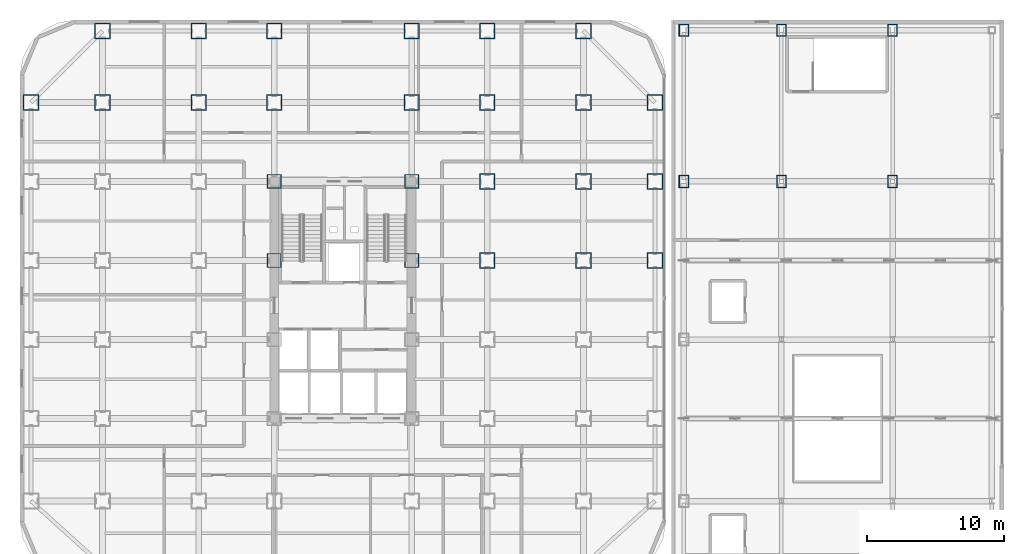
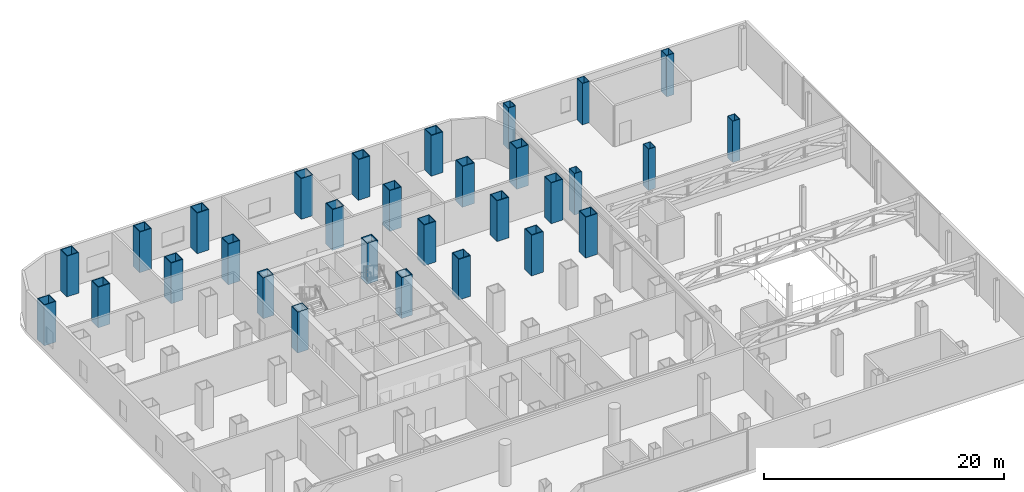
# One storey, part 3 of 28: 30 columns.
"""IFC4 building model written with IfcOpenShell, lengths in metres."""

from ifc_helpers import new_model, si_unit, direction, frame, origin, origin_2d, place, context, subcontext, project, spatial, hollow_rectangle, extrude, source, transform, mapped, material, material_profile, profile_set, type_object, element, save


model = new_model("IFC4")

# Units and contexts
model_context = context("Model", 3, precision=1e-05, world=origin(), true_north=direction((0.0, 1.0)))
body_context = subcontext(model_context, "Body", "Model", "MODEL_VIEW")
ifc_project = project(units=[si_unit("LENGTHUNIT", "METRE"), si_unit("AREAUNIT", "SQUARE_METRE"), si_unit("VOLUMEUNIT", "CUBIC_METRE"), si_unit("PLANEANGLEUNIT", "RADIAN"), si_unit("MASSUNIT", "GRAM", prefix="KILO")], contexts=[model_context])

# Site, building, storey
site_placement = place(None, origin())
site = spatial("IfcSite", under=ifc_project, at=site_placement, CompositionType="ELEMENT")
building_placement = place(site_placement, origin())
building = spatial("IfcBuilding", under=site, at=building_placement, Name="Kolveth Station Tower", CompositionType="ELEMENT")
storey_placement = place(building_placement, frame((0.0, 0.0, 18.0)))
storey = spatial("IfcBuildingStorey", under=building, at=storey_placement, Name="L04", CompositionType="ELEMENT", Elevation=18.0)

# Columns
ifc_material_1 = material(Name="Steel S460", Category="steel")
ifc_material_profile_1 = material_profile(ifc_material_1, hollow_rectangle(XDim=1.139892578125, YDim=1.139892578125, WallThickness=0.070068359375, at=origin_2d()), Name="BOX1140x1140x70")
ifc_profile_set_1 = profile_set([ifc_material_profile_1], Name="Steel S460")
column_type_1 = type_object("IfcColumnType", Name="Col_C1", PredefinedType="COLUMN", material=ifc_profile_set_1)
shared_shape_1 = source(origin(), body_context, "Body", "SweptSolid", [
    extrude(hollow_rectangle(XDim=1.139892578125, YDim=1.139892578125, WallThickness=0.070068359375, at=origin_2d()), origin(), (0.0, 0.0, 1.0), 4.139892578125),
])
for number, where, z_axis, x_axis, name in (
    (1, (6.0, 39.699951171875, 0.0), (0.0, 0.0, 1.0), (1.0, 0.0, 0.0), "L04 Tower Column N-X60"),
    (2, (13.0, 39.699951171875, 0.0), (0.0, 0.0, 1.0), (1.0, 0.0, 0.0), "L04 Tower Column N-X130"),
    (3, (18.5, 39.699951171875, 0.0), (0.0, 0.0, 1.0), (1.0, 0.0, 0.0), "L04 Tower Column N-X185"),
    (4, (28.5, 39.699951171875, 0.0), (0.0, 0.0, 1.0), (1.0, 0.0, 0.0), "L04 Tower Column N-X285"),
    (5, (34.0, 39.699951171875, 0.0), (0.0, 0.0, 1.0), (1.0, 0.0, 0.0), "L04 Tower Column N-X340"),
    (6, (41.0, 39.699951171875, 0.0), (0.0, 0.0, 1.0), (1.0, 0.0, 0.0), "L04 Tower Column N-X410"),
    (7, (46.199951171875, 23.0, 0.0), (0.0, 0.0, 1.0), (1.0, 0.0, 0.0), "L04 Tower Column E-Y230"),
    (8, (46.199951171875, 28.75, 0.0), (0.0, 0.0, 1.0), (1.0, 0.0, 0.0), "L04 Tower Column E-Y287"),
    (9, (0.800048828125, 34.5, 0.0), (0.0, 0.0, 1.0), (1.0, 0.0, 0.0), "L04 Tower Column W-Y345"),
    (10, (46.199951171875, 34.5, 0.0), (0.0, 0.0, 1.0), (1.0, 0.0, 0.0), "L04 Tower Column E-Y345"),
    (11, (6.0, 34.5, 0.0), (0.0, 0.0, 1.0), (1.0, 0.0, 0.0), "L04 Tower Column G-60-345"),
    (12, (13.0, 34.5, 0.0), (0.0, 0.0, 1.0), (1.0, 0.0, 0.0), "L04 Tower Column G-130-345"),
    (13, (18.5, 34.5, 0.0), (0.0, 0.0, 1.0), (1.0, 0.0, 0.0), "L04 Tower Column G-185-345"),
    (14, (28.5, 34.5, 0.0), (0.0, 0.0, 1.0), (1.0, 0.0, 0.0), "L04 Tower Column G-285-345"),
    (15, (34.0, 23.0, 0.0), (0.0, 0.0, 1.0), (1.0, 0.0, 0.0), "L04 Tower Column G-340-230"),
    (16, (34.0, 28.75, 0.0), (0.0, 0.0, 1.0), (1.0, 0.0, 0.0), "L04 Tower Column G-340-287"),
    (17, (34.0, 34.5, 0.0), (0.0, 0.0, 1.0), (1.0, 0.0, 0.0), "L04 Tower Column G-340-345"),
    (18, (41.0, 23.0, 0.0), (0.0, 0.0, 1.0), (1.0, 0.0, 0.0), "L04 Tower Column G-410-230"),
    (19, (41.0, 28.75, 0.0), (0.0, 0.0, 1.0), (1.0, 0.0, 0.0), "L04 Tower Column G-410-287"),
    (20, (41.0, 34.5, 0.0), (0.0, 0.0, 1.0), (1.0, 0.0, 0.0), "L04 Tower Column G-410-345"),
):
    element("IfcColumn", number, at=place(storey_placement, frame(where, z_axis=z_axis, x_axis=x_axis)), inside=storey, type_object=column_type_1, Name=name, PredefinedType="COLUMN", context=body_context, shape_type="MappedRepresentation", body=[
        mapped(shared_shape_1, transform((0.0, 0.0, 0.0), x_axis=(1.0, 0.0, 0.0), y_axis=(0.0, 1.0, 0.0), z_axis=(0.0, 0.0, 1.0), scale=1.0)),
    ])
ifc_material_profile_2 = material_profile(ifc_material_1, hollow_rectangle(XDim=1.0400390625, YDim=1.0400390625, WallThickness=0.06494140625, at=origin_2d()), Name="BOX1040x1040x65")
ifc_profile_set_2 = profile_set([ifc_material_profile_2], Name="Steel S460")
column_type_2 = type_object("IfcColumnType", Name="Col_C2", PredefinedType="COLUMN", material=ifc_profile_set_2)
shared_shape_2 = source(origin(), body_context, "Body", "SweptSolid", [
    extrude(hollow_rectangle(XDim=1.0400390625, YDim=1.0400390625, WallThickness=0.06494140625, at=origin_2d()), origin(), (0.0, 0.0, 1.0), 4.139892578125),
])
for number, where, z_axis, x_axis, name in (
    (21, (18.5, 23.0, 0.0), (0.0, 0.0, 1.0), (1.0, 0.0, 0.0), "L04 Tower Column G-185-230"),
    (22, (18.5, 28.75, 0.0), (0.0, 0.0, 1.0), (1.0, 0.0, 0.0), "L04 Tower Column G-185-287"),
    (23, (28.5, 23.0, 0.0), (0.0, 0.0, 1.0), (1.0, 0.0, 0.0), "L04 Tower Column G-285-230"),
    (24, (28.5, 28.75, 0.0), (0.0, 0.0, 1.0), (1.0, 0.0, 0.0), "L04 Tower Column G-285-287"),
):
    element("IfcColumn", number, at=place(storey_placement, frame(where, z_axis=z_axis, x_axis=x_axis)), inside=storey, type_object=column_type_2, Name=name, PredefinedType="COLUMN", context=body_context, shape_type="MappedRepresentation", body=[
        mapped(shared_shape_2, transform((0.0, 0.0, 0.0), x_axis=(1.0, 0.0, 0.0), y_axis=(0.0, 1.0, 0.0), z_axis=(0.0, 0.0, 1.0), scale=1.0)),
    ])
ifc_material_2 = material(Name="Steel S355", Category="steel")
ifc_material_profile_3 = material_profile(ifc_material_2, hollow_rectangle(XDim=0.699951171875, YDim=0.89990234375, WallThickness=0.0400390625, at=origin_2d()), Name="BOX900x700x40")
ifc_profile_set_3 = profile_set([ifc_material_profile_3], Name="Steel S355")
column_type_3 = type_object("IfcColumnType", Name="Col_SC1", PredefinedType="COLUMN", material=ifc_profile_set_3)
shared_shape_3 = source(origin(), body_context, "Body", "SweptSolid", [
    extrude(hollow_rectangle(XDim=0.699951171875, YDim=0.89990234375, WallThickness=0.0400390625, at=origin_2d()), origin(), (0.0, 0.0, 1.0), 4.199951171875),
])
for number, where, z_axis, x_axis, name in (
    (25, (48.300048828125, 28.75, 0.0), (0.0, 0.0, 1.0), (1.0, 0.0, 0.0), "L04 Station Column SE-1-5"),
    (26, (48.300048828125, 39.75, 0.0), (0.0, 0.0, 1.0), (1.0, 0.0, 0.0), "L04 Station Column SE-1-6"),
    (27, (55.39990234375, 28.75, 0.0), (0.0, 0.0, 1.0), (1.0, 0.0, 0.0), "L04 Station Column SE-2-5"),
    (28, (55.39990234375, 39.75, 0.0), (0.0, 0.0, 1.0), (1.0, 0.0, 0.0), "L04 Station Column SE-2-6"),
    (29, (63.5, 28.75, 0.0), (0.0, 0.0, 1.0), (1.0, 0.0, 0.0), "L04 Station Column SE-3-5"),
    (30, (63.5, 39.75, 0.0), (0.0, 0.0, 1.0), (1.0, 0.0, 0.0), "L04 Station Column SE-3-6"),
):
    element("IfcColumn", number, at=place(storey_placement, frame(where, z_axis=z_axis, x_axis=x_axis)), inside=storey, type_object=column_type_3, Name=name, PredefinedType="COLUMN", context=body_context, shape_type="MappedRepresentation", body=[
        mapped(shared_shape_3, transform((0.0, 0.0, 0.0), x_axis=(1.0, 0.0, 0.0), y_axis=(0.0, 1.0, 0.0), z_axis=(0.0, 0.0, 1.0), scale=1.0)),
    ])

save(model, "model.ifc")
